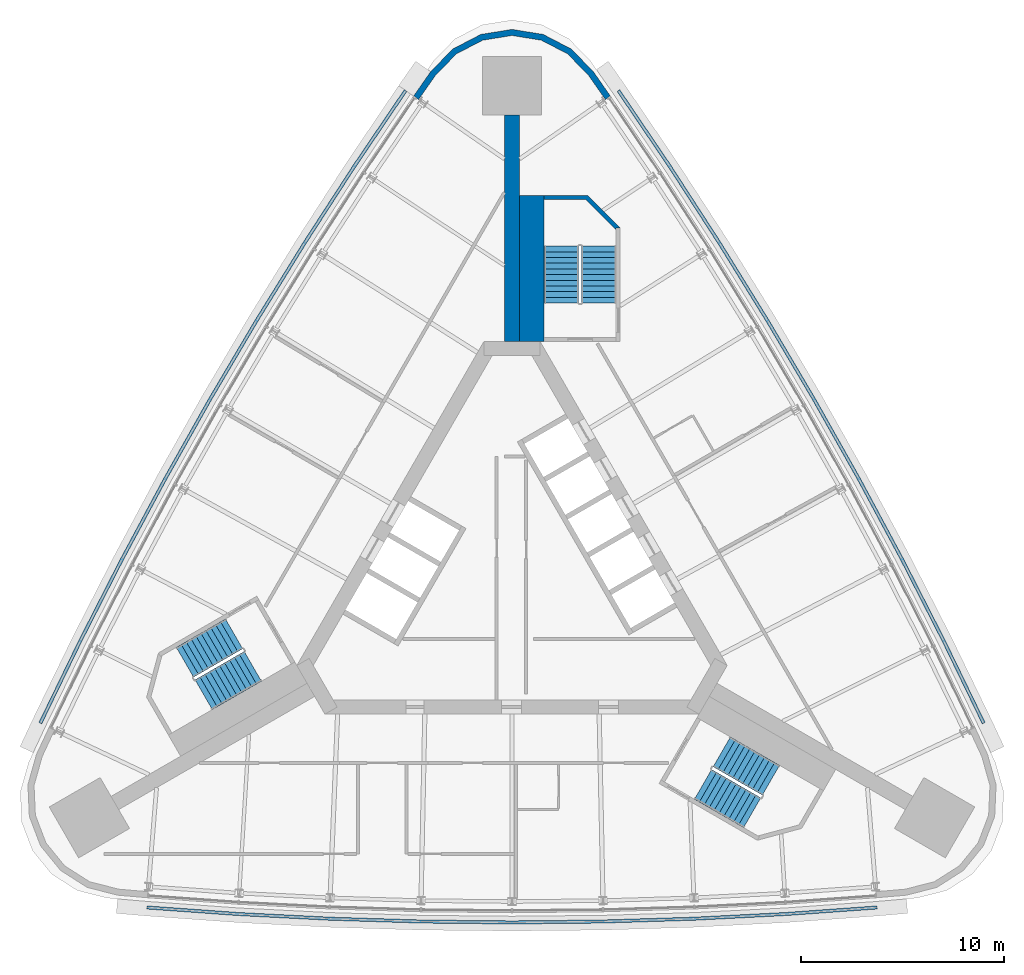
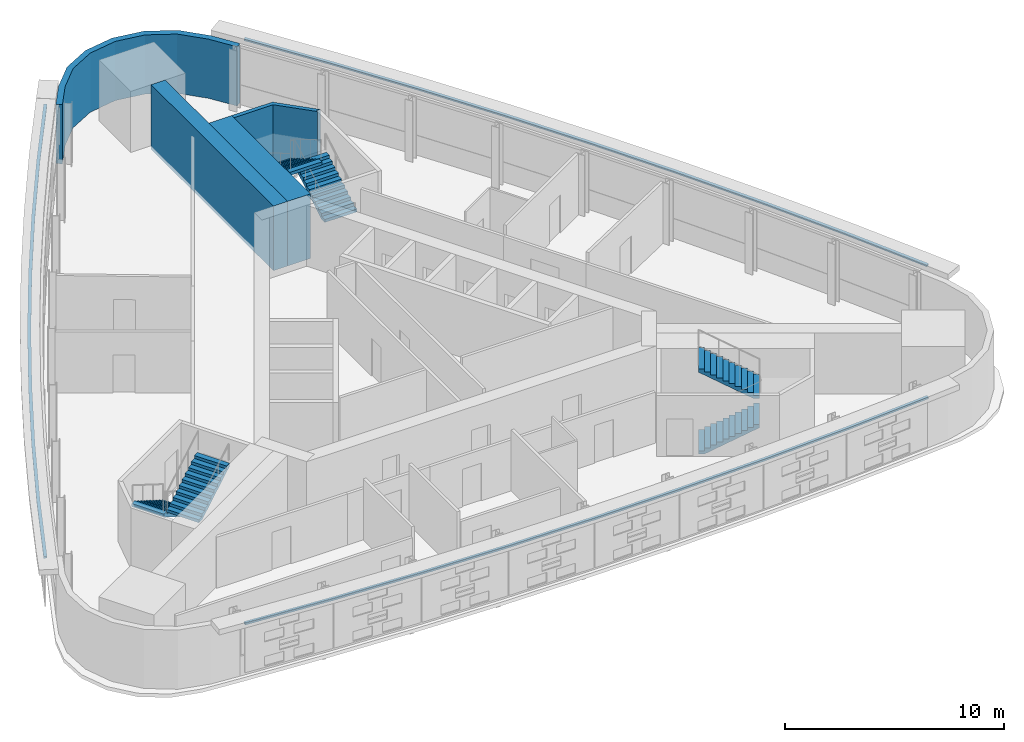
# One storey, part 11 of 13: 6 stair flights, 4 walls, 3 discrete accessories, 3 elements without a shape of their own.
"""IFC4 building model written with IfcOpenShell, lengths in metres."""

from ifc_helpers import new_model, si_unit, direction, frame, frame_2d, origin, place, context, subcontext, project, spatial, polyline, rectangle, outline, extrude, material, layer, layer_set, type_object, element, aggregate, save


model = new_model("IFC4")

# Units and contexts
model_context = context("Model", 3, precision=1e-05, world=origin(), true_north=direction((0.0, 1.0)))
body_context = subcontext(model_context, "Body", "Model", "MODEL_VIEW")
ifc_project = project(units=[si_unit("LENGTHUNIT", "METRE"), si_unit("AREAUNIT", "SQUARE_METRE"), si_unit("VOLUMEUNIT", "CUBIC_METRE"), si_unit("PLANEANGLEUNIT", "RADIAN"), si_unit("MASSUNIT", "GRAM", prefix="KILO")], contexts=[model_context])

# Site, building, storey
site_placement = place(None, origin())
site = spatial("IfcSite", under=ifc_project, at=site_placement, CompositionType="ELEMENT")
building_placement = place(site_placement, origin())
building = spatial("IfcBuilding", under=site, at=building_placement, Name="Noor Cloister Tower", CompositionType="ELEMENT")
storey_placement = place(building_placement, frame((0.0, 0.0, 140.10009765625)))
storey = spatial("IfcBuildingStorey", under=building, at=storey_placement, Name="L35", CompositionType="ELEMENT", Elevation=140.10009765625)

# Walls
ifc_material_1 = material(Name="Concrete C70/85", Category="concrete")
ifc_layer_1 = layer(ifc_material_1, 0.75)
ifc_layer_set_1 = layer_set([ifc_layer_1], Name="Buttress wall 750 C70/85")
wall_type_1 = type_object("IfcWallType", Name="Buttress wall 750 C70/85", PredefinedType="SHEAR", material=ifc_layer_set_1)
wall_1_placement = place(storey_placement, frame((0.0, 11.456298828125, -0.2001953125), z_axis=(0.0, 0.0, 1.0), x_axis=(0.0, 1.0, 0.0)))
element("IfcWall", 1, at=wall_1_placement, inside=storey, type_object=wall_type_1, Name="Buttress wall N L35", PredefinedType="SHEAR", context=body_context, shape_type="SweptSolid", body=[
    extrude(rectangle(XDim=11.166748046875, YDim=0.75, at=frame_2d((5.58349609375, 0.0))), origin(), (0.0, 0.0, 1.0), 3.60009765625),
])
ifc_material_2 = material(Name="Limestone", Category="masonry")
ifc_layer_2 = layer(ifc_material_2, 0.300048828125)
ifc_layer_set_2 = layer_set([ifc_layer_2], Name="Limestone cladding 300")
wall_type_2 = type_object("IfcWallType", Name="Limestone cladding 300", PredefinedType="NOTDEFINED", material=ifc_layer_set_2)
wall_2_placement = place(storey_placement, origin())
element("IfcWall", 2, at=wall_2_placement, inside=storey, type_object=wall_type_2, Name="Limestone pier cladding L35 3.1", PredefinedType="NOTDEFINED", context=body_context, shape_type="SweptSolid", body=[
    extrude(outline(polyline([(4.853271484375, 23.5634765625), (4.013916015625, 24.76708984375), (2.92529296875, 25.88525390625), (1.54052734375, 26.604736328125), (0.0, 26.85302734375), (-1.54052734375, 26.604736328125), (-2.92529296875, 25.88525390625), (-4.013916015625, 24.76708984375), (-4.853271484375, 23.5634765625), (-4.607177734375, 23.391845703125), (-3.78173828125, 24.575439453125), (-2.744140625, 25.641357421875), (-1.445068359375, 26.316162109375), (0.0, 26.549072265625), (1.445068359375, 26.316162109375), (2.744140625, 25.641357421875), (3.78173828125, 24.575439453125), (4.607177734375, 23.391845703125), (4.853271484375, 23.5634765625)])), origin(), (0.0, 0.0, 1.0), 3.2998046875),
])
ifc_material_3 = material(Name="Concrete C70/85", Category="concrete")
ifc_layer_3 = layer(ifc_material_3, 1.2109375)
ifc_layer_set_3 = layer_set([ifc_layer_3], Name="Stair enclosure wall 1211 C70/85")
wall_type_3 = type_object("IfcWallType", Name="Stair enclosure wall 1211 C70/85", PredefinedType="SHEAR", material=ifc_layer_set_3)
wall_3_placement = place(storey_placement, frame((0.980224609375, 11.456298828125, -0.2001953125), z_axis=(0.0, 0.0, 1.0), x_axis=(0.0, 1.0, 0.0)))
element("IfcWall", 3, at=wall_3_placement, inside=storey, type_object=wall_type_3, Name="Stair enclosure wall ST1 L35 riser side", PredefinedType="SHEAR", context=body_context, shape_type="SweptSolid", body=[
    extrude(rectangle(XDim=7.2001953125, YDim=1.210693359375, at=frame_2d((3.60009765625, 0.0))), origin(), (0.0, 0.0, 1.0), 3.60009765625),
])
ifc_material_4 = material(Name="Concrete C70/85", Category="concrete")
wall_type_4 = type_object("IfcWallType", Name="Stair far end wall C70/85", PredefinedType="SHEAR", material=ifc_material_4)
wall_4_placement = place(storey_placement, frame((0.0, 0.0, -0.2001953125)))
element("IfcWall", 4, at=wall_4_placement, inside=storey, type_object=wall_type_4, Name="Stair enclosure wall ST1 L35 far end", PredefinedType="SHEAR", context=body_context, shape_type="SweptSolid", body=[
    extrude(outline(polyline([(5.335693359375, 17.056396484375), (3.735595703125, 18.656494140625), (1.585693359375, 18.656494140625), (1.585693359375, 18.456298828125), (3.65283203125, 18.456298828125), (5.135498046875, 16.9736328125), (5.135498046875, 17.056396484375), (5.135498046875, 17.056396484375), (5.135498046875, 17.056396484375), (5.135498046875, 17.056396484375), (5.135498046875, 17.056396484375), (5.135498046875, 17.056396484375), (5.135498046875, 17.056396484375), (5.135498046875, 17.056396484375), (5.135498046875, 17.056396484375), (5.135498046875, 17.056396484375), (5.135498046875, 17.056396484375), (5.135498046875, 17.056396484375), (5.135498046875, 17.056396484375), (5.135498046875, 17.056396484375), (5.135498046875, 17.056396484375), (5.135498046875, 17.056396484375), (5.135498046875, 17.056396484375), (5.335693359375, 17.056396484375)])), origin(), (0.0, 0.0, 1.0), 3.60009765625),
])

# Stair, stair flights
ifc_material_5 = material(Name="Concrete C40/50", Category="concrete")
stair_type = type_object("IfcStairType", Name="Exit stair 22 risers", PredefinedType="HALF_TURN_STAIR", material=ifc_material_5)
stair_1_placement = place(storey_placement, origin())
stair_1 = element("IfcStair", 5, at=stair_1_placement, inside=storey, type_object=stair_type, Name="Exit stair ST1 L35", PredefinedType="HALF_TURN_STAIR")
ifc_material_6 = material(Name="Concrete C40/50", Category="concrete")
stair_flight_type = type_object("IfcStairFlightType", Name="Exit stair flight", PredefinedType="STRAIGHT", material=ifc_material_6)
stair_flight_1_placement = place(storey_placement, frame((4.28564453125, 13.3564453125, 0.0), z_axis=(0.0, 0.0, 1.0), x_axis=(0.0, 1.0, 0.0)))
stair_flight_1 = element("IfcStairFlight", 6, at=stair_flight_1_placement, type_object=stair_flight_type, Name="ST1 flight 1", NumberOfRisers=11, NumberOfTreads=10, PredefinedType="STRAIGHT", RiserHeight=0.163636364, TreadLength=0.28, context=body_context, shape_type="SweptSolid", body=[
    extrude(outline(polyline([(0.0, 0.0), (0.0, 0.16357421875), (0.280029296875, 0.16357421875), (0.280029296875, 0.327392578125), (0.56005859375, 0.327392578125), (0.56005859375, 0.490966796875), (0.840087890625, 0.490966796875), (0.840087890625, 0.654541015625), (1.1201171875, 0.654541015625), (1.1201171875, 0.818115234375), (1.39990234375, 0.818115234375), (1.39990234375, 0.98193359375), (1.679931640625, 0.98193359375), (1.679931640625, 1.1455078125), (1.9599609375, 1.1455078125), (1.9599609375, 1.30908203125), (2.239990234375, 1.30908203125), (2.239990234375, 1.47265625), (2.52001953125, 1.47265625), (2.52001953125, 1.636474609375), (2.800048828125, 1.636474609375), (2.800048828125, 1.800048828125), (2.800048828125, 1.462646484375), (0.297119140625, 0.0), (0.0, 0.0)])), frame((0.0, 0.85009765625, 0.0), z_axis=(0.0, -1.0, 0.0), x_axis=(1.0, 0.0, 0.0)), (0.0, 0.0, 1.0), 1.699951171875),
])
stair_flight_2_placement = place(storey_placement, frame((2.435546875, 16.156494140625, 1.7998046875), z_axis=(0.0, 0.0, 1.0), x_axis=(0.0, -1.0, 0.0)))
stair_flight_2 = element("IfcStairFlight", 7, at=stair_flight_2_placement, type_object=stair_flight_type, Name="ST1 flight 2", NumberOfRisers=11, NumberOfTreads=10, PredefinedType="STRAIGHT", RiserHeight=0.163636364, TreadLength=0.28, context=body_context, shape_type="SweptSolid", body=[
    extrude(outline(polyline([(0.0, 0.0), (0.0, 0.16357421875), (0.280029296875, 0.16357421875), (0.280029296875, 0.327392578125), (0.56005859375, 0.327392578125), (0.56005859375, 0.490966796875), (0.840087890625, 0.490966796875), (0.840087890625, 0.654541015625), (1.1201171875, 0.654541015625), (1.1201171875, 0.818115234375), (1.39990234375, 0.818115234375), (1.39990234375, 0.98193359375), (1.679931640625, 0.98193359375), (1.679931640625, 1.1455078125), (1.9599609375, 1.1455078125), (1.9599609375, 1.30908203125), (2.239990234375, 1.30908203125), (2.239990234375, 1.47265625), (2.52001953125, 1.47265625), (2.52001953125, 1.636474609375), (2.800048828125, 1.636474609375), (2.800048828125, 1.800048828125), (2.800048828125, 1.462646484375), (0.297119140625, 0.0), (0.0, 0.0)])), frame((0.0, 0.85009765625, 0.0), z_axis=(0.0, -1.0, 0.0), x_axis=(1.0, 0.0, 0.0)), (0.0, 0.0, 1.0), 1.699951171875),
])
aggregate(stair_1, [stair_flight_1, stair_flight_2])

stair_2_placement = place(storey_placement, origin())
stair_2 = element("IfcStair", 8, at=stair_2_placement, inside=storey, type_object=stair_type, Name="Exit stair ST2 L35", PredefinedType="HALF_TURN_STAIR")
stair_flight_3_placement = place(storey_placement, frame((-13.709716796875, -2.966796875, 0.0), z_axis=(0.0, 0.0, 1.0), x_axis=(-0.866025403784, -0.5, 0.0)))
stair_flight_3 = element("IfcStairFlight", 9, at=stair_flight_3_placement, type_object=stair_flight_type, Name="ST2 flight 1", NumberOfRisers=11, NumberOfTreads=10, PredefinedType="STRAIGHT", RiserHeight=0.163636364, TreadLength=0.28, context=body_context, shape_type="SweptSolid", body=[
    extrude(outline(polyline([(0.0, 0.0), (0.0, 0.16357421875), (0.280029296875, 0.16357421875), (0.280029296875, 0.327392578125), (0.56005859375, 0.327392578125), (0.56005859375, 0.490966796875), (0.840087890625, 0.490966796875), (0.840087890625, 0.654541015625), (1.1201171875, 0.654541015625), (1.1201171875, 0.818115234375), (1.39990234375, 0.818115234375), (1.39990234375, 0.98193359375), (1.679931640625, 0.98193359375), (1.679931640625, 1.1455078125), (1.9599609375, 1.1455078125), (1.9599609375, 1.30908203125), (2.239990234375, 1.30908203125), (2.239990234375, 1.47265625), (2.52001953125, 1.47265625), (2.52001953125, 1.636474609375), (2.800048828125, 1.636474609375), (2.800048828125, 1.800048828125), (2.800048828125, 1.462646484375), (0.297119140625, 0.0), (0.0, 0.0)])), frame((0.0, 0.85009765625, 0.0), z_axis=(0.0, -1.0, 0.0), x_axis=(1.0, 0.0, 0.0)), (0.0, 0.0, 1.0), 1.699951171875),
])
stair_flight_4_placement = place(storey_placement, frame((-15.209716796875, -5.968994140625, 1.7998046875), z_axis=(0.0, 0.0, 1.0), x_axis=(0.866025403784, 0.5, 0.0)))
stair_flight_4 = element("IfcStairFlight", 10, at=stair_flight_4_placement, type_object=stair_flight_type, Name="ST2 flight 2", NumberOfRisers=11, NumberOfTreads=10, PredefinedType="STRAIGHT", RiserHeight=0.163636364, TreadLength=0.28, context=body_context, shape_type="SweptSolid", body=[
    extrude(outline(polyline([(0.0, 0.0), (0.0, 0.16357421875), (0.280029296875, 0.16357421875), (0.280029296875, 0.327392578125), (0.56005859375, 0.327392578125), (0.56005859375, 0.490966796875), (0.840087890625, 0.490966796875), (0.840087890625, 0.654541015625), (1.1201171875, 0.654541015625), (1.1201171875, 0.818115234375), (1.39990234375, 0.818115234375), (1.39990234375, 0.98193359375), (1.679931640625, 0.98193359375), (1.679931640625, 1.1455078125), (1.9599609375, 1.1455078125), (1.9599609375, 1.30908203125), (2.239990234375, 1.30908203125), (2.239990234375, 1.47265625), (2.52001953125, 1.47265625), (2.52001953125, 1.636474609375), (2.800048828125, 1.636474609375), (2.800048828125, 1.800048828125), (2.800048828125, 1.462646484375), (0.297119140625, 0.0), (0.0, 0.0)])), frame((0.0, 0.85009765625, 0.0), z_axis=(0.0, -1.0, 0.0), x_axis=(1.0, 0.0, 0.0)), (0.0, 0.0, 1.0), 1.699951171875),
])
aggregate(stair_2, [stair_flight_3, stair_flight_4])

stair_3_placement = place(storey_placement, origin())
stair_3 = element("IfcStair", 11, at=stair_3_placement, inside=storey, type_object=stair_type, Name="Exit stair ST3 L35", PredefinedType="HALF_TURN_STAIR")
stair_flight_5_placement = place(storey_placement, frame((9.424072265625, -10.3896484375, 0.0), z_axis=(0.0, 0.0, 1.0), x_axis=(0.866025403784, -0.5, 0.0)))
stair_flight_5 = element("IfcStairFlight", 12, at=stair_flight_5_placement, type_object=stair_flight_type, Name="ST3 flight 1", NumberOfRisers=11, NumberOfTreads=10, PredefinedType="STRAIGHT", RiserHeight=0.163636364, TreadLength=0.28, context=body_context, shape_type="SweptSolid", body=[
    extrude(outline(polyline([(0.0, 0.0), (0.0, 0.16357421875), (0.280029296875, 0.16357421875), (0.280029296875, 0.327392578125), (0.56005859375, 0.327392578125), (0.56005859375, 0.490966796875), (0.840087890625, 0.490966796875), (0.840087890625, 0.654541015625), (1.1201171875, 0.654541015625), (1.1201171875, 0.818115234375), (1.39990234375, 0.818115234375), (1.39990234375, 0.98193359375), (1.679931640625, 0.98193359375), (1.679931640625, 1.1455078125), (1.9599609375, 1.1455078125), (1.9599609375, 1.30908203125), (2.239990234375, 1.30908203125), (2.239990234375, 1.47265625), (2.52001953125, 1.47265625), (2.52001953125, 1.636474609375), (2.800048828125, 1.636474609375), (2.800048828125, 1.800048828125), (2.800048828125, 1.462646484375), (0.297119140625, 0.0), (0.0, 0.0)])), frame((0.0, 0.85009765625, 0.0), z_axis=(0.0, -1.0, 0.0), x_axis=(1.0, 0.0, 0.0)), (0.0, 0.0, 1.0), 1.699951171875),
])
stair_flight_6_placement = place(storey_placement, frame((12.77392578125, -10.1875, 1.7998046875), z_axis=(0.0, 0.0, 1.0), x_axis=(-0.866025403784, 0.5, 0.0)))
stair_flight_6 = element("IfcStairFlight", 13, at=stair_flight_6_placement, type_object=stair_flight_type, Name="ST3 flight 2", NumberOfRisers=11, NumberOfTreads=10, PredefinedType="STRAIGHT", RiserHeight=0.163636364, TreadLength=0.28, context=body_context, shape_type="SweptSolid", body=[
    extrude(outline(polyline([(0.0, 0.0), (0.0, 0.16357421875), (0.280029296875, 0.16357421875), (0.280029296875, 0.327392578125), (0.56005859375, 0.327392578125), (0.56005859375, 0.490966796875), (0.840087890625, 0.490966796875), (0.840087890625, 0.654541015625), (1.1201171875, 0.654541015625), (1.1201171875, 0.818115234375), (1.39990234375, 0.818115234375), (1.39990234375, 0.98193359375), (1.679931640625, 0.98193359375), (1.679931640625, 1.1455078125), (1.9599609375, 1.1455078125), (1.9599609375, 1.30908203125), (2.239990234375, 1.30908203125), (2.239990234375, 1.47265625), (2.52001953125, 1.47265625), (2.52001953125, 1.636474609375), (2.800048828125, 1.636474609375), (2.800048828125, 1.800048828125), (2.800048828125, 1.462646484375), (0.297119140625, 0.0), (0.0, 0.0)])), frame((0.0, 0.85009765625, 0.0), z_axis=(0.0, -1.0, 0.0), x_axis=(1.0, 0.0, 0.0)), (0.0, 0.0, 1.0), 1.699951171875),
])
aggregate(stair_3, [stair_flight_5, stair_flight_6])

# Discrete accessories
ifc_material_7 = material(Name="Stainless steel grade 316", Category="steel")
discrete_accessory_type = type_object("IfcDiscreteAccessoryType", Name="Stainless hanger rail", PredefinedType="BRACKET", material=ifc_material_7)
discrete_accessory_1_placement = place(storey_placement, frame((0.0, 0.0, 3.199951171875)))
element("IfcDiscreteAccessory", 14, at=discrete_accessory_1_placement, inside=storey, type_object=discrete_accessory_type, Name="Hanger rail L35", PredefinedType="BRACKET", context=body_context, shape_type="SweptSolid", body=[
    extrude(outline(polyline([(-5.31689453125, 23.87744140625), (-7.84375, 20.14697265625), (-10.296630859375, 16.360595703125), (-12.67138671875, 12.52490234375), (-14.967041015625, 8.641357421875), (-17.1826171875, 4.71142578125), (-19.317138671875, 0.73681640625), (-21.36962890625, -3.280517578125), (-23.3369140625, -7.333984375), (-23.193115234375, -7.404052734375), (-21.2265625, -3.351806640625), (-19.17529296875, 0.66259765625), (-17.04248046875, 4.63427734375), (-14.82861328125, 8.561279296875), (-12.53466796875, 12.442138671875), (-10.16162109375, 16.275146484375), (-7.71044921875, 20.05859375), (-5.1845703125, 23.78759765625), (-5.31689453125, 23.87744140625)])), origin(), (0.0, 0.0, 1.0), 0.099853515625),
])
discrete_accessory_2_placement = place(storey_placement, frame((0.0, 0.0, 3.199951171875)))
element("IfcDiscreteAccessory", 15, at=discrete_accessory_2_placement, inside=storey, type_object=discrete_accessory_type, Name="Hanger rail L35", PredefinedType="BRACKET", context=body_context, shape_type="SweptSolid", body=[
    extrude(outline(polyline([(-18.02001953125, -16.54345703125), (-13.52587890625, -16.866455078125), (-9.0205078125, -17.09765625), (-4.51123046875, -17.236328125), (0.0, -17.282470703125), (4.51123046875, -17.236328125), (9.0205078125, -17.09765625), (13.52587890625, -16.866455078125), (18.02001953125, -16.54345703125), (18.008544921875, -16.3837890625), (13.51611328125, -16.706787109375), (9.013916015625, -16.937744140625), (4.5078125, -17.076416015625), (0.0, -17.12255859375), (-4.5078125, -17.076416015625), (-9.013916015625, -16.937744140625), (-13.51611328125, -16.706787109375), (-18.008544921875, -16.3837890625), (-18.02001953125, -16.54345703125)])), origin(), (0.0, 0.0, 1.0), 0.099853515625),
])
discrete_accessory_3_placement = place(storey_placement, frame((0.0, 0.0, 3.199951171875)))
element("IfcDiscreteAccessory", 16, at=discrete_accessory_3_placement, inside=storey, type_object=discrete_accessory_type, Name="Hanger rail L35", PredefinedType="BRACKET", context=body_context, shape_type="SweptSolid", body=[
    extrude(outline(polyline([(23.3369140625, -7.333984375), (21.36962890625, -3.280517578125), (19.317138671875, 0.73681640625), (17.1826171875, 4.71142578125), (14.967041015625, 8.641357421875), (12.67138671875, 12.52490234375), (10.296630859375, 16.360595703125), (7.84375, 20.14697265625), (5.31689453125, 23.87744140625), (5.1845703125, 23.78759765625), (7.71044921875, 20.05859375), (10.16162109375, 16.275146484375), (12.53466796875, 12.442138671875), (14.82861328125, 8.561279296875), (17.04248046875, 4.63427734375), (19.17529296875, 0.66259765625), (21.2265625, -3.351806640625), (23.193115234375, -7.404052734375), (23.3369140625, -7.333984375)])), origin(), (0.0, 0.0, 1.0), 0.099853515625),
])

save(model, "model.ifc")
